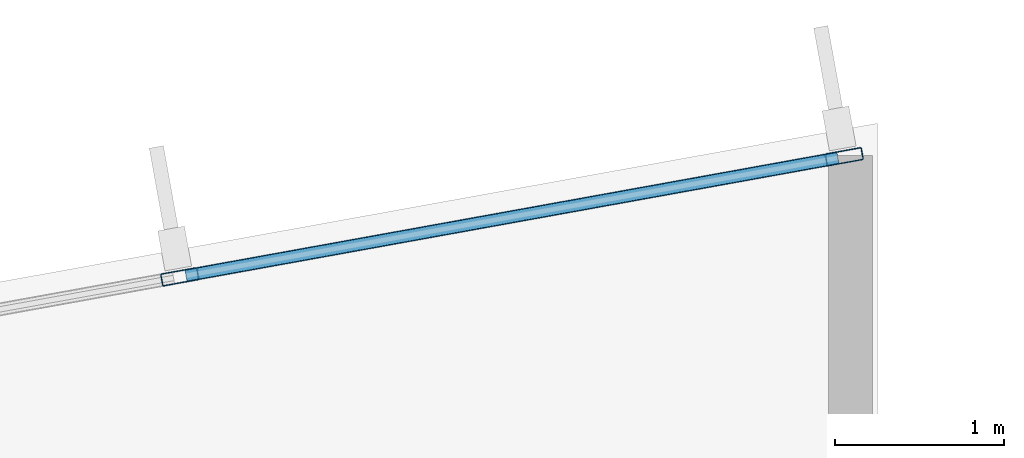
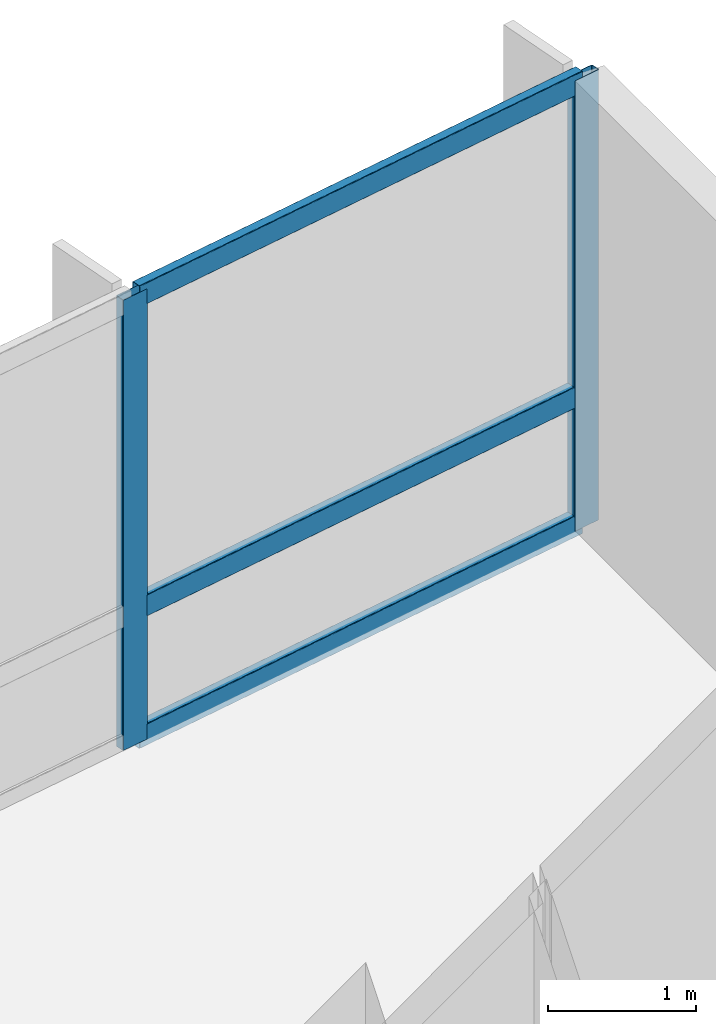
# One storey, part 8 of 19: 5 members, 1 element without a shape of its own.
"""IFC4 building model written with IfcOpenShell, lengths in metres."""

from ifc_helpers import new_model, si_unit, direction, frame, origin, origin_2d, place, context, subcontext, project, spatial, hollow_rectangle, extrude, material, layer, layer_set, material_profile, profile_set, type_object, element, aggregate, save


model = new_model("IFC4")

# Units and contexts
model_context = context("Model", 3, precision=1e-05, world=origin(), true_north=direction((0.0, 1.0)))
body_context = subcontext(model_context, "Body", "Model", "MODEL_VIEW")
ifc_project = project(units=[si_unit("LENGTHUNIT", "METRE"), si_unit("AREAUNIT", "SQUARE_METRE"), si_unit("VOLUMEUNIT", "CUBIC_METRE"), si_unit("PLANEANGLEUNIT", "RADIAN"), si_unit("MASSUNIT", "GRAM", prefix="KILO")], contexts=[model_context])

# Site, building, storey
site_placement = place(None, origin())
site = spatial("IfcSite", under=ifc_project, at=site_placement, CompositionType="ELEMENT")
building_placement = place(site_placement, origin())
building = spatial("IfcBuilding", under=site, at=building_placement, Name="Varnakote Quay Hospital", CompositionType="ELEMENT")
storey_placement = place(building_placement, frame((0.0, 0.0, 50.14990234375)))
storey = spatial("IfcBuildingStorey", under=building, at=storey_placement, Name="L12", CompositionType="ELEMENT", Elevation=50.14990234375)

# Curtain wall, members
ifc_material_1 = material(Name="Anodised aluminium 6063-T6 Bronze", Category="aluminium")
ifc_layer = layer(ifc_material_1, 0.18994140625)
ifc_layer_set = layer_set([ifc_layer], Name="Anodised aluminium 6063-T6 Bronze")
curtain_wall_type = type_object("IfcCurtainWallType", Name="CW-SYS-2", PredefinedType="NOTDEFINED", material=ifc_layer_set)
curtain_wall_placement = place(storey_placement, origin())
curtain_wall = element("IfcCurtainWall", 1, at=curtain_wall_placement, inside=storey, type_object=curtain_wall_type, Name="L12 Unitised Bronze Curtain Wall 1", PredefinedType="NOTDEFINED")
ifc_material_2 = material(Name="Anodised aluminium 6063-T6 Bronze", Category="aluminium")
ifc_material_profile_1 = material_profile(ifc_material_2, hollow_rectangle(XDim=0.074951171875, YDim=0.219970703125, WallThickness=0.00439453125, InnerFilletRadius=0.00439453125, OuterFilletRadius=0.009033203125, at=origin_2d()), Name="CW-MULL-220x75")
ifc_profile_set_1 = profile_set([ifc_material_profile_1], Name="Anodised aluminium 6063-T6 Bronze")
member_type_1 = type_object("IfcMemberType", Name="CW-MULL-220x75", PredefinedType="MULLION", material=ifc_profile_set_1)
member_1_placement = place(storey_placement, frame((55.403076171875, 34.201904296875, 0.0), z_axis=(0.0, 0.0, 1.0), x_axis=(0.177846199098, -0.984058295766, 0.0)))
member_1 = element("IfcMember", 2, at=member_1_placement, type_object=member_type_1, Name="-2-L12-1 mullion 1", PredefinedType="MULLION", context=body_context, shape_type="SweptSolid", body=[
    extrude(hollow_rectangle(XDim=0.074951171875, YDim=0.219970703125, WallThickness=0.00439453125, InnerFilletRadius=0.00439453125, OuterFilletRadius=0.009033203125, at=origin_2d()), origin(), (0.0, 0.0, 1.0), 3.710205078125),
])
member_2_placement = place(storey_placement, frame((51.477294921875, 33.492431640625, 0.0), z_axis=(0.0, 0.0, 1.0), x_axis=(0.177846199098, -0.984058295766, 0.0)))
member_2 = element("IfcMember", 3, at=member_2_placement, type_object=member_type_1, Name="-2-L12-1 mullion 2", PredefinedType="MULLION", context=body_context, shape_type="SweptSolid", body=[
    extrude(hollow_rectangle(XDim=0.074951171875, YDim=0.219970703125, WallThickness=0.00439453125, InnerFilletRadius=0.00439453125, OuterFilletRadius=0.009033203125, at=origin_2d()), origin(), (0.0, 0.0, 1.0), 3.710205078125),
])
ifc_material_3 = material(Name="Anodised aluminium 6063-T6 Bronze", Category="aluminium")
ifc_material_profile_2 = material_profile(ifc_material_3, hollow_rectangle(XDim=0.074951171875, YDim=0.179931640625, WallThickness=0.004150390625, InnerFilletRadius=0.004150390625, OuterFilletRadius=0.00830078125, at=origin_2d()), Name="CW-TRAN-180x75")
ifc_profile_set_2 = profile_set([ifc_material_profile_2], Name="Anodised aluminium 6063-T6 Bronze")
member_type_2 = type_object("IfcMemberType", Name="CW-TRAN-180x75", PredefinedType="USERDEFINED", material=ifc_profile_set_2)
member_3_placement = place(storey_placement, frame((55.3662109375, 34.195068359375, 0.03759765625), z_axis=(-0.984061948229, -0.177825988109, 0.0), x_axis=(0.177825988109, -0.984061948229, 0.0)))
member_3 = element("IfcMember", 4, at=member_3_placement, type_object=member_type_2, Name="-2-L12-1 transom 1.1", ObjectType="TRANSOM", PredefinedType="USERDEFINED", context=body_context, shape_type="SweptSolid", body=[
    extrude(hollow_rectangle(XDim=0.074951171875, YDim=0.179931640625, WallThickness=0.004150390625, InnerFilletRadius=0.004150390625, OuterFilletRadius=0.00830078125, at=origin_2d()), origin(), (0.0, 0.0, 1.0), 3.914306640625),
])
member_4_placement = place(storey_placement, frame((55.3662109375, 34.195068359375, 1.10009765625), z_axis=(-0.984061948229, -0.177825988109, 0.0), x_axis=(0.177825988109, -0.984061948229, 0.0)))
member_4 = element("IfcMember", 5, at=member_4_placement, type_object=member_type_2, Name="-2-L12-1 transom 1.2", ObjectType="TRANSOM", PredefinedType="USERDEFINED", context=body_context, shape_type="SweptSolid", body=[
    extrude(hollow_rectangle(XDim=0.074951171875, YDim=0.179931640625, WallThickness=0.004150390625, InnerFilletRadius=0.004150390625, OuterFilletRadius=0.00830078125, at=origin_2d()), origin(), (0.0, 0.0, 1.0), 3.914306640625),
])
member_5_placement = place(storey_placement, frame((55.3662109375, 34.195068359375, 3.672607421875), z_axis=(-0.984061948229, -0.177825988109, 0.0), x_axis=(0.177825988109, -0.984061948229, 0.0)))
member_5 = element("IfcMember", 6, at=member_5_placement, type_object=member_type_2, Name="-2-L12-1 transom 1.3", ObjectType="TRANSOM", PredefinedType="USERDEFINED", context=body_context, shape_type="SweptSolid", body=[
    extrude(hollow_rectangle(XDim=0.074951171875, YDim=0.179931640625, WallThickness=0.004150390625, InnerFilletRadius=0.004150390625, OuterFilletRadius=0.00830078125, at=origin_2d()), origin(), (0.0, 0.0, 1.0), 3.914306640625),
])
aggregate(curtain_wall, [member_1, member_2, member_3, member_4, member_5])

save(model, "model.ifc")
